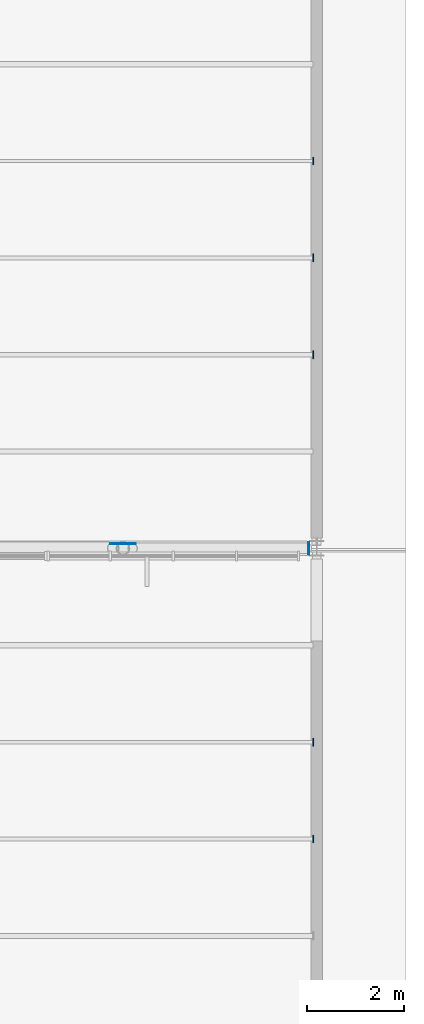
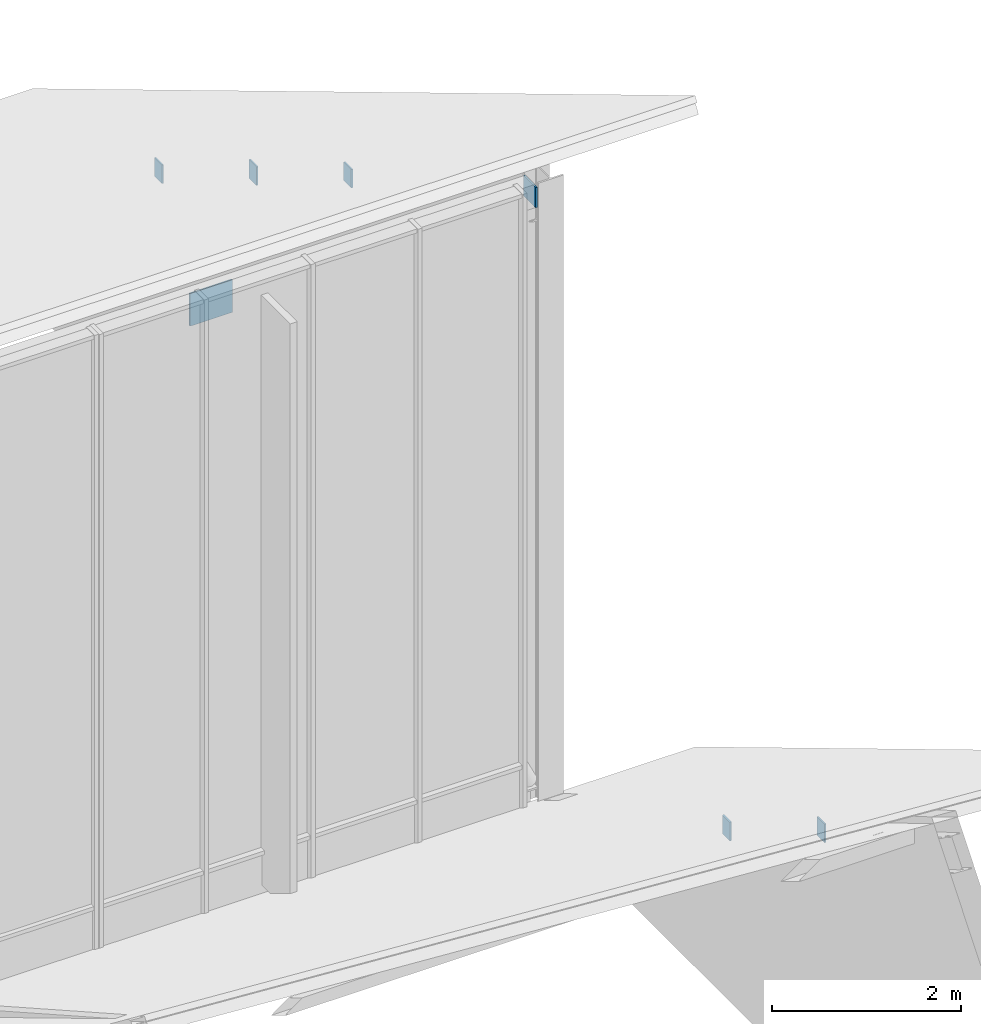
# One storey, part 95 of 155: 7 plates.
"""IFC4 building model written with IfcOpenShell, lengths in metres."""

import ifcopenshell
import ifcopenshell.guid

model = None  # the IFC model being written
_history = None  # IfcOwnerHistory: only IFC2X3 demands one
_inside = {}  # id of a spatial element -> (the spatial element, [elements in it])
_under = {}  # id of a project, library or spatial element -> (it, [spatial elements below it])
_declared = {}  # id of a project -> (the project, [libraries it declares])
_typed = {}  # id of a type object -> (the type object, [elements of that type])
_made_of = {}  # id of a material, layer set ... -> (it, [elements and type objects made of it])


def new_model(schema):
    """Start an empty IFC model of exactly this schema.

    Asked for "IFC4X3", IfcOpenShell would pick the latest addendum, in which some entities
    have other attributes; the version numbers below select the first issue.
    IFC2X3 requires an IfcOwnerHistory on every rooted entity: one is made here for all.
    """
    global model, _history
    if schema == "IFC4X3":
        model = ifcopenshell.file(schema_version=(4, 3, 0, 0))
    else:
        model = ifcopenshell.file(schema=schema)
    _inside.clear()
    _under.clear()
    _declared.clear()
    _typed.clear()
    _made_of.clear()
    _history = None
    if model.schema == "IFC2X3":
        org = make("IfcOrganization", Name="unknown")
        user = make(
            "IfcPersonAndOrganization",
            ThePerson=make("IfcPerson", FamilyName="unknown"),
            TheOrganization=org,
        )
        app = make(
            "IfcApplication",
            ApplicationDeveloper=org,
            Version="unknown",
            ApplicationFullName="unknown",
            ApplicationIdentifier="unknown",
        )
        _history = make(
            "IfcOwnerHistory",
            OwningUser=user,
            OwningApplication=app,
            ChangeAction="ADDED",
            CreationDate=0,
        )
    return model


def make(cls, **values):
    """One entity of the class cls with the attributes given. An attribute that is None is left unset."""
    return model.create_entity(
        cls, **{name: value for name, value in values.items() if value is not None}
    )


def rooted(cls, **values):
    """An entity with a GlobalId (a new one), such as an element, a storey or a relation."""
    return make(cls, GlobalId=ifcopenshell.guid.new(), OwnerHistory=_history, **values)


def si_unit(unit_type, name, prefix=None):
    """IfcSIUnit, for example si_unit("LENGTHUNIT", "METRE", prefix="MILLI")."""
    return make("IfcSIUnit", UnitType=unit_type, Prefix=prefix, Name=name)


def assignment(units):
    """IfcUnitAssignment: the units of a project."""
    return None if units is None else make("IfcUnitAssignment", Units=units)


def point(xyz):
    """IfcCartesianPoint."""
    return None if xyz is None else make("IfcCartesianPoint", Coordinates=xyz)


def direction(xyz):
    """IfcDirection."""
    return None if xyz is None else make("IfcDirection", DirectionRatios=xyz)


def frame(location, z_axis=None, x_axis=None):
    """IfcAxis2Placement3D, a coordinate frame: its origin and axes. An axis left out is left unset."""
    return make(
        "IfcAxis2Placement3D",
        Location=point(location),
        Axis=direction(z_axis),
        RefDirection=direction(x_axis),
    )


def frame_2d(location, x_axis=None):
    """IfcAxis2Placement2D, a coordinate frame in the plane: its origin and x axis."""
    return make(
        "IfcAxis2Placement2D", Location=point(location), RefDirection=direction(x_axis)
    )


def origin():
    """The frame at (0, 0, 0) with its axes left unset."""
    return frame((0.0, 0.0, 0.0))


def origin_2d():
    """The frame at (0, 0) in the plane with its x axis left unset."""
    return frame_2d((0.0, 0.0))


def place(relative_to, where):
    """IfcLocalPlacement: puts the frame where relative to a parent placement (None: the world)."""
    return make(
        "IfcLocalPlacement", PlacementRelTo=relative_to, RelativePlacement=where
    )


def context(
    kind, dimensions, precision=None, world=None, true_north=None, identifier=None
):
    """IfcGeometricRepresentationContext, for example the 3D "Model" context."""
    return make(
        "IfcGeometricRepresentationContext",
        ContextIdentifier=identifier,
        ContextType=kind,
        CoordinateSpaceDimension=dimensions,
        Precision=precision,
        WorldCoordinateSystem=world,
        TrueNorth=true_north,
    )


def subcontext(parent, identifier, kind, view, scale=None):
    """IfcGeometricRepresentationSubContext, for example "Body" below "Model"."""
    return make(
        "IfcGeometricRepresentationSubContext",
        ContextIdentifier=identifier,
        ContextType=kind,
        ParentContext=parent,
        TargetScale=scale,
        TargetView=view,
    )


def project(units=None, contexts=None):
    """IfcProject with its units and contexts."""
    return rooted(
        "IfcProject",
        Name="project",
        RepresentationContexts=contexts,
        UnitsInContext=assignment(units),
    )


def spatial(cls, under=None, at=None, **own):
    """A site, building, storey or space (cls), placed at a placement, below another one or the project."""
    s = rooted(cls, ObjectPlacement=at, **own)
    if under is not None:
        _under.setdefault(under.id(), (under, []))[1].append(s)
    return s


def profile(cls, at=None, kind="AREA", **sizes):
    """A parametric profile (cls). Its sizes go by their IFC names, for example OverallWidth=200.0."""
    return make(cls, ProfileType=kind, Position=at, **sizes)


def rectangle(**sizes):
    """IfcRectangleProfileDef."""
    return profile("IfcRectangleProfileDef", **sizes)


def extrude(swept, where, along, depth):
    """IfcExtrudedAreaSolid: the profile swept, set in the frame where, extruded along a direction by depth."""
    return make(
        "IfcExtrudedAreaSolid",
        SweptArea=swept,
        Position=where,
        ExtrudedDirection=direction(along),
        Depth=depth,
    )


def shape(context_of_items, identifier, shape_type, items):
    """IfcShapeRepresentation: the items that make up one representation, for example the "Body"."""
    return make(
        "IfcShapeRepresentation",
        ContextOfItems=context_of_items,
        RepresentationIdentifier=identifier,
        RepresentationType=shape_type,
        Items=items,
    )


def material(Name=None, Category=None):
    """IfcMaterial."""
    return make("IfcMaterial", Name=Name, Category=Category)


def layer(
    of_material, thickness, ventilated=None, Name=None, Category=None, Priority=None
):
    """IfcMaterialLayer: one layer of a wall or slab, of a material (None: an air gap)."""
    return make(
        "IfcMaterialLayer",
        Material=of_material,
        LayerThickness=thickness,
        IsVentilated=ventilated,
        Name=Name,
        Category=Category,
        Priority=Priority,
    )


def layer_set(layers, Name=None):
    """IfcMaterialLayerSet."""
    return make("IfcMaterialLayerSet", MaterialLayers=layers, LayerSetName=Name)


def made_of(thing, what):
    """Note that an element or type object is made of a material, layer set ...; save() writes the relation."""
    if what is not None:
        _made_of.setdefault(what.id(), (what, []))[1].append(thing)
    return thing


def type_object(cls, material=None, **own):
    """A type object (cls), such as IfcWallType, which elements share."""
    return made_of(rooted(cls, **own), material)


def element(
    cls,
    number,
    at=None,
    inside=None,
    cuts=None,
    type_object=None,
    material=None,
    context=None,
    identifier="Body",
    shape_type=None,
    held_by="IfcProductDefinitionShape",
    body=None,
    shapes=None,
    **own,
):
    """One element of the class cls, such as IfcWall. Its Tag is "e" and its number.

    at: its placement. inside: the storey or other place that contains it. cuts: it is an
    opening in that element (IfcRelVoidsElement). A single representation is given by context,
    identifier, shape_type and body (its items); several are given by shapes. held_by: the class
    of the entity that holds the representations. save() writes the other relations.
    """
    e = rooted(cls, Tag="e%d" % number, ObjectPlacement=at, **own)
    if body is not None:
        shapes = [shape(context, identifier, shape_type, body)]
    if shapes is not None:
        e.Representation = make(held_by, Representations=shapes)
    if inside is not None:
        _inside.setdefault(inside.id(), (inside, []))[1].append(e)
    if cuts is not None:
        rooted(
            "IfcRelVoidsElement", RelatingBuildingElement=cuts, RelatedOpeningElement=e
        )
    if type_object is not None:
        _typed.setdefault(type_object.id(), (type_object, []))[1].append(e)
    return made_of(e, material)


def aggregate(whole, parts):
    """IfcRelAggregates: a whole, such as a stair, and the parts it consists of."""
    return rooted("IfcRelAggregates", RelatingObject=whole, RelatedObjects=parts)


def save(model, path):
    """Write the relations noted so far, then the file.

    IfcRelAggregates (storeys below a building ...), IfcRelContainedInSpatialStructure (elements
    in a storey), IfcRelDefinesByType, IfcRelAssociatesMaterial and IfcRelDeclares: one each for
    every whole, place, type object, material and project.
    """
    for whole, parts in _under.values():
        aggregate(whole, parts)
    for where, things in _inside.values():
        rooted(
            "IfcRelContainedInSpatialStructure",
            RelatedElements=things,
            RelatingStructure=where,
        )
    for kind, things in _typed.values():
        rooted("IfcRelDefinesByType", RelatedObjects=things, RelatingType=kind)
    for what, things in _made_of.values():
        rooted("IfcRelAssociatesMaterial", RelatedObjects=things, RelatingMaterial=what)
    for by, libraries in _declared.values():
        rooted("IfcRelDeclares", RelatingContext=by, RelatedDefinitions=libraries)
    model.write(path)


model = new_model("IFC4")

# Units and contexts
model_context = context("Model", 3, precision=1e-05, world=origin(), true_north=direction((0.0, 1.0)))
body_context = subcontext(model_context, "Body", "Model", "MODEL_VIEW")
ifc_project = project(units=[si_unit("LENGTHUNIT", "METRE"), si_unit("AREAUNIT", "SQUARE_METRE"), si_unit("VOLUMEUNIT", "CUBIC_METRE"), si_unit("PLANEANGLEUNIT", "RADIAN"), si_unit("MASSUNIT", "GRAM", prefix="KILO")], contexts=[model_context])

# Site, building, storey
site_placement = place(None, origin())
site = spatial("IfcSite", under=ifc_project, at=site_placement, CompositionType="ELEMENT")
building_placement = place(site_placement, origin())
building = spatial("IfcBuilding", under=site, at=building_placement, Name="Larkveld Mobility Hub", CompositionType="ELEMENT")
storey_placement = place(building_placement, frame((0.0, 0.0, 8.39990234375)))
storey = spatial("IfcBuildingStorey", under=building, at=storey_placement, Name="L02", CompositionType="ELEMENT", Elevation=8.39990234375)

# Plates
ifc_material = material(Name="Steel S355JR", Category="steel")
ifc_layer_1 = layer(ifc_material, 0.02001953125, Name="Steel S355JR", Category="steel")
ifc_layer_set_1 = layer_set([ifc_layer_1], Name="Steel S355JR")
plate_type_1 = type_object("IfcPlateType", Name="PT-EC02", PredefinedType="USERDEFINED", material=ifc_layer_set_1)
plate_1_placement = place(storey_placement, frame((183.840087890625, 70.0, 7.8203125), z_axis=(0.0, 0.0, 1.0), x_axis=(1.0, 0.0, 0.0)))
element("IfcPlate", 1, at=plate_1_placement, inside=storey, type_object=plate_type_1, Name="Hollow Chord End Cap Plate EC-036", ObjectType="GUSSET PLATE", PredefinedType="USERDEFINED", context=body_context, shape_type="SweptSolid", body=[
    extrude(rectangle(XDim=0.02001953125, YDim=0.260009765625, at=origin_2d()), origin(), (0.0, 0.0, 1.0), 0.260009765625),
])
for number, where, z_axis, x_axis, name in (
    (2, (183.927978515625, 64.0, 3.20703125), (0.0, 0.0, 1.0), (1.0, 0.0, 0.0), "Hollow Purlin End Cap Plate PEC-143"),
    (3, (183.927978515625, 66.0, 2.01708984375), (0.0, 0.0, 1.0), (1.0, 0.0, 0.0), "Hollow Purlin End Cap Plate PEC-151"),
    (4, (183.927978515625, 74.0, 5.5869140625), (0.0, 0.0, 1.0), (1.0, 0.0, 0.0), "Hollow Purlin End Cap Plate PEC-159"),
    (5, (183.927978515625, 76.0, 4.4072265625), (0.0, 0.0, 1.0), (1.0, 0.0, 0.0), "Hollow Purlin End Cap Plate PEC-167"),
    (6, (183.927978515625, 78.0, 3.21728515625), (0.0, 0.0, 1.0), (1.0, 0.0, 0.0), "Hollow Purlin End Cap Plate PEC-175"),
):
    element("IfcPlate", number, at=place(storey_placement, frame(where, z_axis=z_axis, x_axis=x_axis)), inside=storey, type_object=plate_type_1, Name=name, ObjectType="GUSSET PLATE", PredefinedType="USERDEFINED", context=body_context, shape_type="SweptSolid", body=[
        extrude(rectangle(XDim=0.02001953125, YDim=0.159912109375, at=origin_2d()), origin(), (0.0, 0.0, 1.0), 0.239990234375),
    ])
ifc_layer_2 = layer(ifc_material, 0.02001953125, Name="Steel S355JR", Category="steel")
ifc_layer_set_2 = layer_set([ifc_layer_2], Name="Steel S355JR")
plate_type_2 = type_object("IfcPlateType", Name="PT-GS01", PredefinedType="USERDEFINED", material=ifc_layer_set_2)
plate_2_placement = place(storey_placement, frame((180.0, 70.10009765625, 7.590087890625), z_axis=(0.0, 0.0, 1.0), x_axis=(1.0, 0.0, 0.0)))
element("IfcPlate", 7, at=plate_2_placement, inside=storey, type_object=plate_type_2, Name="Truss Node Gusset Plate TN-034", ObjectType="GUSSET PLATE", PredefinedType="USERDEFINED", context=body_context, shape_type="SweptSolid", body=[
    extrude(rectangle(XDim=0.52001953125, YDim=0.02001953125, at=origin_2d()), origin(), (0.0, 0.0, 1.0), 0.419921875),
])

save(model, "model.ifc")
